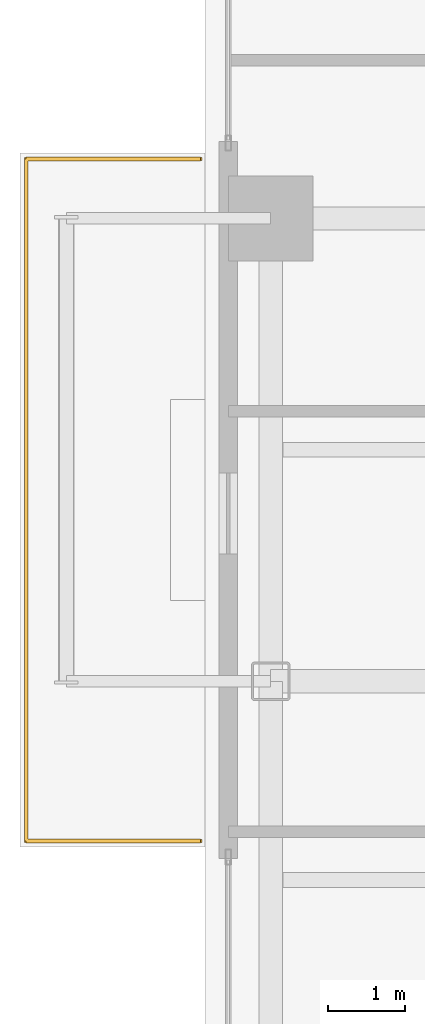
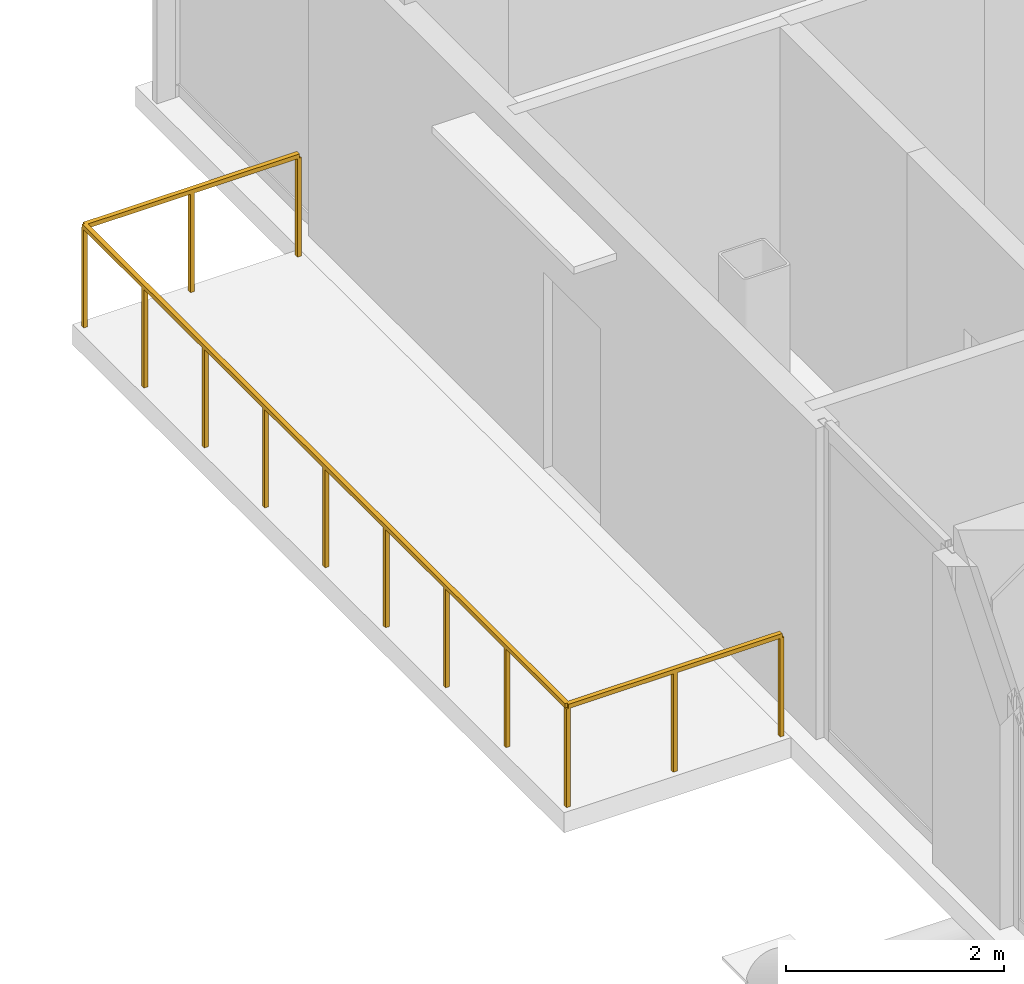
# One storey, part 28 of 28: 1 railing.
"""IFC4 building model written with IfcOpenShell, lengths in metres."""

from ifc_helpers import new_model, si_unit, direction, frame, origin, origin_2d, place, context, subcontext, project, spatial, rectangle, extrude, material, type_object, element, save


model = new_model("IFC4")

# Units and contexts
model_context = context("Model", 3, precision=1e-05, world=origin(), true_north=direction((0.0, 1.0)))
body_context = subcontext(model_context, "Body", "Model", "MODEL_VIEW")
ifc_project = project(units=[si_unit("LENGTHUNIT", "METRE"), si_unit("AREAUNIT", "SQUARE_METRE"), si_unit("VOLUMEUNIT", "CUBIC_METRE"), si_unit("PLANEANGLEUNIT", "RADIAN"), si_unit("MASSUNIT", "GRAM", prefix="KILO"), si_unit("THERMODYNAMICTEMPERATUREUNIT", "KELVIN"), si_unit("POWERUNIT", "WATT")], contexts=[model_context])

# Site, building, storey
site_placement = place(None, origin())
site = spatial("IfcSite", under=ifc_project, at=site_placement, CompositionType="ELEMENT")
building_placement = place(site_placement, origin())
building = spatial("IfcBuilding", under=site, at=building_placement, Name="Svarakhadi Broadcast Tower", CompositionType="ELEMENT")
storey_placement = place(building_placement, frame((0.0, 0.0, 107.10009765625)))
storey = spatial("IfcBuildingStorey", under=building, at=storey_placement, Name="L25", CompositionType="ELEMENT", Elevation=107.10009765625)

# Railing
ifc_material = material(Name="Laminated Structural SentryGlas Balustrade 25.5 mm", Category="glass")
railing_type = type_object("IfcRailingType", Name="Guard_Balcony_GR01", PredefinedType="BALUSTRADE", material=ifc_material)
railing_placement = place(storey_placement, frame((-0.06005859375, 27.080078125, 0.0)))
element("IfcRailing", 1, at=railing_placement, inside=storey, type_object=railing_type, Name="L25 West Tree Balcony Guard GR-05", PredefinedType="BALUSTRADE", context=body_context, shape_type="SweptSolid", body=[
    extrude(rectangle(XDim=0.048095703125, YDim=0.048095703125, at=origin_2d()), frame((0.0, 0.0, 1.1259765625), z_axis=(-1.0, 0.0, 0.0), x_axis=(0.0, -1.0, 0.0)), (0.0, 0.0, 1.0), 2.260009765625),
    extrude(rectangle(XDim=0.048095703125, YDim=0.048095703125, at=origin_2d()), frame((-2.260009765625, 0.0, 1.1259765625), z_axis=(0.0, 1.0, 0.0), x_axis=(-1.0, 0.0, 0.0)), (0.0, 0.0, 1.0), 8.83984375),
    extrude(rectangle(XDim=0.048095703125, YDim=0.048095703125, at=origin_2d()), frame((-2.260009765625, 8.83984375, 1.1259765625), z_axis=(1.0, 0.0, 0.0), x_axis=(0.0, 1.0, 0.0)), (0.0, 0.0, 1.0), 2.260009765625),
    extrude(rectangle(XDim=0.0419921875, YDim=0.0419921875, at=origin_2d()), origin(), (0.0, 0.0, 1.0), 1.101806640625),
    extrude(rectangle(XDim=0.0419921875, YDim=0.0419921875, at=origin_2d()), frame((-1.1298828125, 0.0, 0.0)), (0.0, 0.0, 1.0), 1.101806640625),
    extrude(rectangle(XDim=0.0419921875, YDim=0.0419921875, at=origin_2d()), frame((-2.260009765625, 0.0, 0.0)), (0.0, 0.0, 1.0), 1.101806640625),
    extrude(rectangle(XDim=0.0419921875, YDim=0.0419921875, at=origin_2d()), frame((-2.260009765625, 1.10498046875, 0.0)), (0.0, 0.0, 1.0), 1.101806640625),
    extrude(rectangle(XDim=0.0419921875, YDim=0.0419921875, at=origin_2d()), frame((-2.260009765625, 2.2099609375, 0.0)), (0.0, 0.0, 1.0), 1.101806640625),
    extrude(rectangle(XDim=0.0419921875, YDim=0.0419921875, at=origin_2d()), frame((-2.260009765625, 3.31494140625, 0.0)), (0.0, 0.0, 1.0), 1.101806640625),
    extrude(rectangle(XDim=0.0419921875, YDim=0.0419921875, at=origin_2d()), frame((-2.260009765625, 4.419921875, 0.0)), (0.0, 0.0, 1.0), 1.101806640625),
    extrude(rectangle(XDim=0.0419921875, YDim=0.0419921875, at=origin_2d()), frame((-2.260009765625, 5.52490234375, 0.0)), (0.0, 0.0, 1.0), 1.101806640625),
    extrude(rectangle(XDim=0.0419921875, YDim=0.0419921875, at=origin_2d()), frame((-2.260009765625, 6.6298828125, 0.0)), (0.0, 0.0, 1.0), 1.101806640625),
    extrude(rectangle(XDim=0.0419921875, YDim=0.0419921875, at=origin_2d()), frame((-2.260009765625, 7.73486328125, 0.0)), (0.0, 0.0, 1.0), 1.101806640625),
    extrude(rectangle(XDim=0.0419921875, YDim=0.0419921875, at=origin_2d()), frame((-2.260009765625, 8.83984375, 0.0)), (0.0, 0.0, 1.0), 1.101806640625),
    extrude(rectangle(XDim=0.0419921875, YDim=0.0419921875, at=origin_2d()), frame((-1.1298828125, 8.83984375, 0.0)), (0.0, 0.0, 1.0), 1.101806640625),
    extrude(rectangle(XDim=0.0419921875, YDim=0.0419921875, at=origin_2d()), frame((0.0, 8.83984375, 0.0)), (0.0, 0.0, 1.0), 1.101806640625),
])

save(model, "model.ifc")
